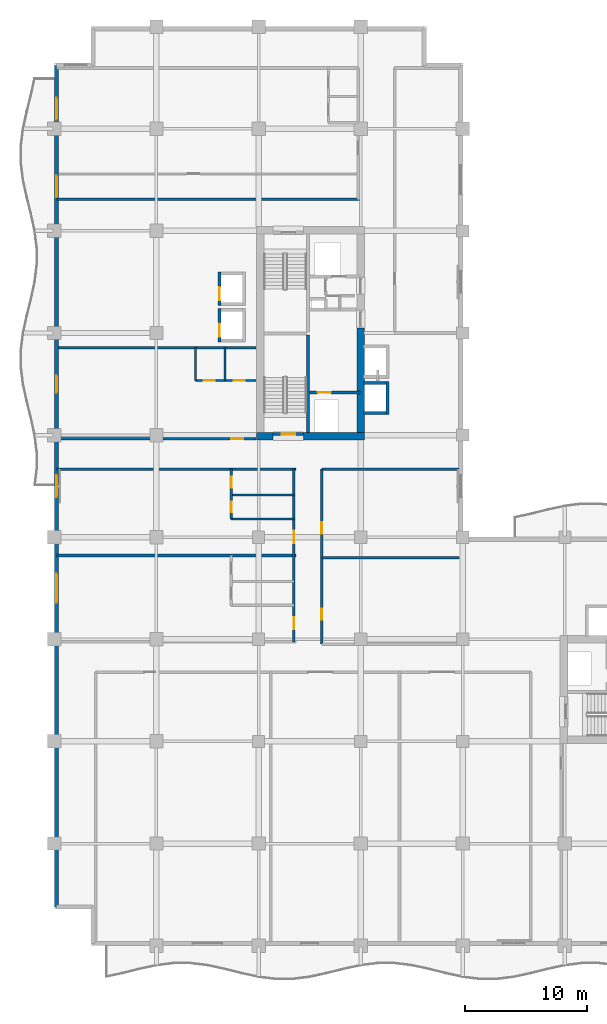
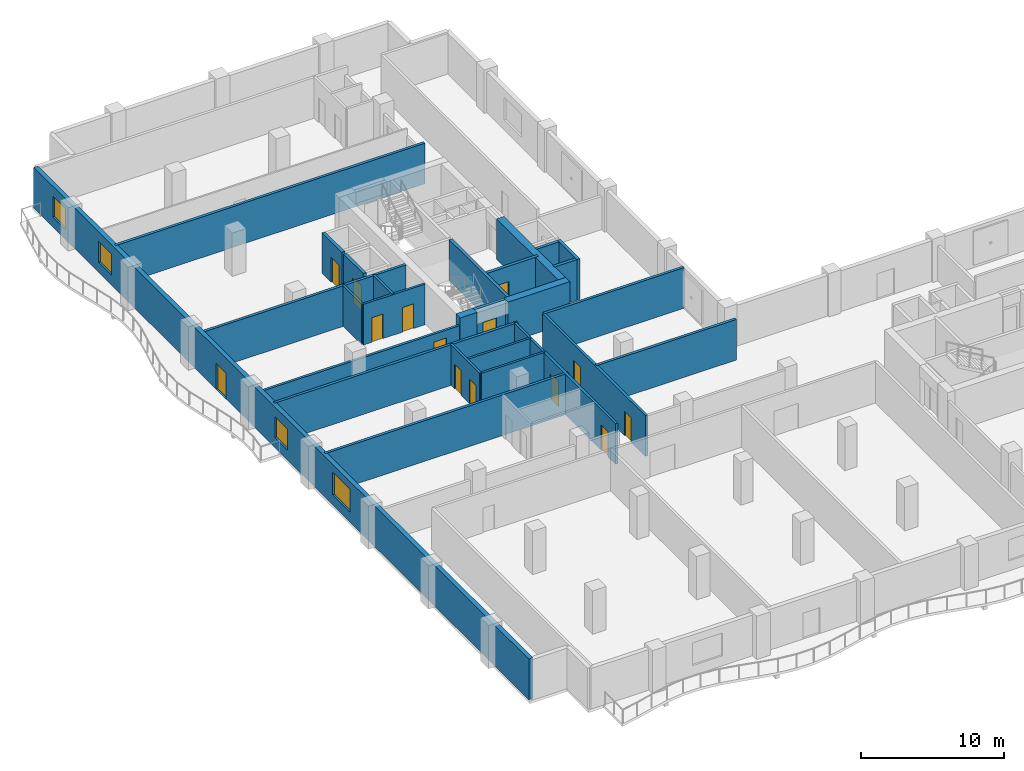
# One storey, part 6 of 15: 27 walls, 14 doors, 4 windows, 18 openings.
"""IFC4 building model written with IfcOpenShell, lengths in metres."""

from ifc_helpers import new_model, si_unit, direction, frame, frame_2d, origin, place, context, subcontext, project, spatial, rectangle, extrude, material, layer, layer_set, type_object, element, fill, save


model = new_model("IFC4")

# Units and contexts
model_context = context("Model", 3, precision=1e-05, world=origin(), true_north=direction((0.0, 1.0)))
body_context = subcontext(model_context, "Body", "Model", "MODEL_VIEW")
ifc_project = project(units=[si_unit("LENGTHUNIT", "METRE"), si_unit("AREAUNIT", "SQUARE_METRE"), si_unit("VOLUMEUNIT", "CUBIC_METRE"), si_unit("PLANEANGLEUNIT", "RADIAN"), si_unit("MASSUNIT", "GRAM", prefix="KILO")], contexts=[model_context])

# Site, building, storey
site_placement = place(None, origin())
site = spatial("IfcSite", under=ifc_project, at=site_placement, CompositionType="ELEMENT")
building_placement = place(site_placement, origin())
building = spatial("IfcBuilding", under=site, at=building_placement, Name="Koriwani Terraces Tower", CompositionType="ELEMENT")
storey_placement = place(building_placement, frame((0.0, 0.0, 216.10009765625)))
storey = spatial("IfcBuildingStorey", under=building, at=storey_placement, Name="L53", CompositionType="ELEMENT", Elevation=216.10009765625)

# Walls
ifc_material_1 = material(Name="Concrete C60/75", Category="concrete")
ifc_layer_1 = layer(ifc_material_1, 0.60009765625, Name="Concrete C60/75")
ifc_layer_set_1 = layer_set([ifc_layer_1], Name="Concrete C60/75")
wall_type_1 = type_object("IfcWallType", Name="WALL_CORE_RC_600", PredefinedType="SHEAR", material=ifc_layer_set_1)
wall_1_placement = place(storey_placement, frame((16.64990234375, 41.89990234375, 0.0), z_axis=(0.0, 0.0, 1.0), x_axis=(1.0, 0.0, 0.0)))
element("IfcWall", 1, at=wall_1_placement, inside=storey, type_object=wall_type_1, Name="L53 West Split Core Shear Wall S1", PredefinedType="SHEAR", context=body_context, shape_type="SweptSolid", body=[
    extrude(rectangle(XDim=1.35009765625, YDim=0.60009765625, at=frame_2d((0.675048828125, 0.0))), origin(), (0.0, 0.0, 1.0), 3.469970703125),
])
wall_2_placement = place(storey_placement, frame((20.5, 41.89990234375, 0.0), z_axis=(0.0, 0.0, 1.0), x_axis=(1.0, 0.0, 0.0)))
element("IfcWall", 2, at=wall_2_placement, inside=storey, type_object=wall_type_1, Name="L53 West Split Core Shear Wall S2", PredefinedType="SHEAR", context=body_context, shape_type="SweptSolid", body=[
    extrude(rectangle(XDim=5.0, YDim=0.60009765625, at=frame_2d((2.5, 0.0))), origin(), (0.0, 0.0, 1.0), 3.469970703125),
])
wall_3_placement = place(storey_placement, frame((25.199951171875, 42.199951171875, 0.0), z_axis=(0.0, 0.0, 1.0), x_axis=(0.0, 1.0, 0.0)))
element("IfcWall", 3, at=wall_3_placement, inside=storey, type_object=wall_type_1, Name="L53 West Split Core Shear Wall E1", PredefinedType="SHEAR", context=body_context, shape_type="SweptSolid", body=[
    extrude(rectangle(XDim=8.60009765625, YDim=0.60009765625, at=frame_2d((4.300048828125, 0.0))), origin(), (0.0, 0.0, 1.0), 3.469970703125),
])

# Wall, opening, door
ifc_material_2 = material(Name="Autoclaved Cellular Concrete Blockwork", Category="masonry")
ifc_layer_2 = layer(ifc_material_2, 0.199951171875, Name="Autoclaved Cellular Concrete Blockwork")
ifc_layer_set_2 = layer_set([ifc_layer_2], Name="Autoclaved Cellular Concrete Blockwork")
wall_type_2 = type_object("IfcWallType", Name="WALL_CORRIDOR_200", PredefinedType="PARTITIONING", material=ifc_layer_set_2)
wall_4_placement = place(storey_placement, frame((0.35009765625, 41.699951171875, 0.0), z_axis=(0.0, 0.0, 1.0), x_axis=(1.0, 0.0, 0.0)))
wall_4 = element("IfcWall", 4, at=wall_4_placement, inside=storey, type_object=wall_type_2, Name="L53 Interior Wall WREC-WS-L53", PredefinedType="PARTITIONING", context=body_context, shape_type="SweptSolid", body=[
    extrude(rectangle(XDim=16.25, YDim=0.199951171875, at=frame_2d((8.125, 0.0))), origin(), (0.0, 0.0, 1.0), 2.81982421875),
])
opening_1_placement = place(wall_4_placement, frame((14.199951171875, 0.0, 0.0)))
opening_1 = element("IfcOpeningElement", 5, at=opening_1_placement, cuts=wall_4, Name="Opening D-05", PredefinedType="OPENING", context=body_context, shape_type="SweptSolid", body=[
    extrude(rectangle(XDim=1.0, YDim=2.14990234375, at=frame_2d((0.5, 1.074951171875))), frame((0.0, 0.10986328125, 0.0), z_axis=(0.0, -1.0, 0.0), x_axis=(1.0, 0.0, 0.0)), (0.0, 0.0, 1.0), 0.219970703125),
])
ifc_material_3 = material(Name="Architectural Oak Fire Door", Category="wood")
door_type_1 = type_object("IfcDoorType", Name="DOOR_SUITE_ENTRY_1000X2150", OperationType="NOTDEFINED", PredefinedType="DOOR", material=ifc_material_3)
door_1_placement = place(opening_1_placement, origin())
door_1 = element("IfcDoor", 6, at=door_1_placement, inside=storey, type_object=door_type_1, Name="L53 Reclaimed West Suite Door", OperationType="SINGLE_SWING_LEFT", OverallHeight=2.14990234375, OverallWidth=1.0, PredefinedType="DOOR", context=body_context, shape_type="SweptSolid", body=[
    extrude(rectangle(XDim=1.0, YDim=2.14990234375, at=frame_2d((0.5, 1.074951171875))), frame((0.0, 0.02490234375, 0.0), z_axis=(0.0, -1.0, 0.0), x_axis=(1.0, 0.0, 0.0)), (0.0, 0.0, 1.0), 0.050048828125),
])
fill(opening_1, door_1)

# Wall, openings, doors
wall_5_placement = place(storey_placement, frame((22.0, 24.800048828125, 0.0), z_axis=(0.0, 0.0, 1.0), x_axis=(0.0, 1.0, 0.0)))
wall_5 = element("IfcWall", 7, at=wall_5_placement, inside=storey, type_object=wall_type_2, Name="L53 Interior Wall WIC2-W-L53", PredefinedType="PARTITIONING", context=body_context, shape_type="SweptSolid", body=[
    extrude(rectangle(XDim=14.39990234375, YDim=0.199951171875, at=frame_2d((7.199951171875, 0.0))), origin(), (0.0, 0.0, 1.0), 3.469970703125),
])
opening_2_placement = place(wall_5_placement, frame((2.0, 0.0, 0.0)))
opening_2 = element("IfcOpeningElement", 8, at=opening_2_placement, cuts=wall_5, Name="Opening D-06", PredefinedType="OPENING", context=body_context, shape_type="SweptSolid", body=[
    extrude(rectangle(XDim=0.919921875, YDim=2.10009765625, at=frame_2d((0.4599609375, 1.050048828125))), frame((0.0, 0.10986328125, 0.0), z_axis=(0.0, -1.0, 0.0), x_axis=(1.0, 0.0, 0.0)), (0.0, 0.0, 1.0), 0.219970703125),
])
opening_3_placement = place(wall_5_placement, frame((9.10009765625, 0.0, 0.0)))
opening_3 = element("IfcOpeningElement", 9, at=opening_3_placement, cuts=wall_5, Name="Opening D-06", PredefinedType="OPENING", context=body_context, shape_type="SweptSolid", body=[
    extrude(rectangle(XDim=0.919921875, YDim=2.10009765625, at=frame_2d((0.4599609375, 1.050048828125))), frame((0.0, 0.10986328125, 0.0), z_axis=(0.0, -1.0, 0.0), x_axis=(1.0, 0.0, 0.0)), (0.0, 0.0, 1.0), 0.219970703125),
])
door_type_2 = type_object("IfcDoorType", Name="DOOR_ROOM_INT_920X2100", OperationType="NOTDEFINED", PredefinedType="DOOR", material=ifc_material_3)
door_2_placement = place(opening_2_placement, origin())
door_2 = element("IfcDoor", 10, at=door_2_placement, inside=storey, type_object=door_type_2, Name="L53 Inner Court Salon Door", OperationType="SINGLE_SWING_LEFT", OverallHeight=2.10009765625, OverallWidth=0.919921875, PredefinedType="DOOR", context=body_context, shape_type="SweptSolid", body=[
    extrude(rectangle(XDim=0.919921875, YDim=2.10009765625, at=frame_2d((0.4599609375, 1.050048828125))), frame((0.0, 0.02490234375, 0.0), z_axis=(0.0, -1.0, 0.0), x_axis=(1.0, 0.0, 0.0)), (0.0, 0.0, 1.0), 0.050048828125),
])
fill(opening_2, door_2)
door_3_placement = place(opening_3_placement, origin())
door_3 = element("IfcDoor", 11, at=door_3_placement, inside=storey, type_object=door_type_2, Name="L53 Inner Court Media Room Door", OperationType="SINGLE_SWING_RIGHT", OverallHeight=2.10009765625, OverallWidth=0.919921875, PredefinedType="DOOR", context=body_context, shape_type="SweptSolid", body=[
    extrude(rectangle(XDim=0.919921875, YDim=2.10009765625, at=frame_2d((0.4599609375, 1.050048828125))), frame((0.0, 0.02490234375, 0.0), z_axis=(0.0, -1.0, 0.0), x_axis=(1.0, 0.0, 0.0)), (0.0, 0.0, 1.0), 0.050048828125),
])
fill(opening_3, door_3)

wall_6_placement = place(storey_placement, frame((19.699951171875, 25.0, 0.0), z_axis=(0.0, 0.0, 1.0), x_axis=(0.0, 1.0, 0.0)))
wall_6 = element("IfcWall", 12, at=wall_6_placement, inside=storey, type_object=wall_type_2, Name="L53 Interior Wall WRCOR-L53-NW-0", PredefinedType="PARTITIONING", context=body_context, shape_type="SweptSolid", body=[
    extrude(rectangle(XDim=14.199951171875, YDim=0.199951171875, at=frame_2d((7.10009765625, 0.0))), origin(), (0.0, 0.0, 1.0), 3.469970703125),
])
opening_4_placement = place(wall_6_placement, frame((1.02001953125, 0.0, 0.0)))
opening_4 = element("IfcOpeningElement", 13, at=opening_4_placement, cuts=wall_6, Name="Opening D-05", PredefinedType="OPENING", context=body_context, shape_type="SweptSolid", body=[
    extrude(rectangle(XDim=1.0, YDim=2.14990234375, at=frame_2d((0.5, 1.074951171875))), frame((0.0, 0.10986328125, 0.0), z_axis=(0.0, -1.0, 0.0), x_axis=(1.0, 0.0, 0.0)), (0.0, 0.0, 1.0), 0.219970703125),
])
opening_5_placement = place(wall_6_placement, frame((8.1201171875, 0.0, 0.0)))
opening_5 = element("IfcOpeningElement", 14, at=opening_5_placement, cuts=wall_6, Name="Opening D-05", PredefinedType="OPENING", context=body_context, shape_type="SweptSolid", body=[
    extrude(rectangle(XDim=1.0, YDim=2.14990234375, at=frame_2d((0.5, 1.074951171875))), frame((0.0, 0.10986328125, 0.0), z_axis=(0.0, -1.0, 0.0), x_axis=(1.0, 0.0, 0.0)), (0.0, 0.0, 1.0), 0.219970703125),
])
door_4_placement = place(opening_4_placement, origin())
door_4 = element("IfcDoor", 15, at=door_4_placement, inside=storey, type_object=door_type_1, Name="Apartment 53NW1 Entrance Door", OperationType="SINGLE_SWING_RIGHT", OverallHeight=2.14990234375, OverallWidth=1.0, PredefinedType="DOOR", context=body_context, shape_type="SweptSolid", body=[
    extrude(rectangle(XDim=1.0, YDim=2.14990234375, at=frame_2d((0.5, 1.074951171875))), frame((0.0, 0.02490234375, 0.0), z_axis=(0.0, -1.0, 0.0), x_axis=(1.0, 0.0, 0.0)), (0.0, 0.0, 1.0), 0.050048828125),
])
fill(opening_4, door_4)
door_5_placement = place(opening_5_placement, origin())
door_5 = element("IfcDoor", 16, at=door_5_placement, inside=storey, type_object=door_type_1, Name="Apartment 53NW2 Entrance Door", OperationType="SINGLE_SWING_LEFT", OverallHeight=2.14990234375, OverallWidth=1.0, PredefinedType="DOOR", context=body_context, shape_type="SweptSolid", body=[
    extrude(rectangle(XDim=1.0, YDim=2.14990234375, at=frame_2d((0.5, 1.074951171875))), frame((0.0, 0.02490234375, 0.0), z_axis=(0.0, -1.0, 0.0), x_axis=(1.0, 0.0, 0.0)), (0.0, 0.0, 1.0), 0.050048828125),
])
fill(opening_5, door_5)

# Walls
ifc_layer_3 = layer(ifc_material_2, 0.219970703125, Name="Autoclaved Cellular Concrete Blockwork")
ifc_layer_set_3 = layer_set([ifc_layer_3], Name="Autoclaved Cellular Concrete Blockwork")
wall_type_3 = type_object("IfcWallType", Name="WALL_DEMISING_220", PredefinedType="PARTITIONING", material=ifc_layer_set_3)
wall_7_placement = place(storey_placement, frame((0.35009765625, 49.199951171875, 0.0), z_axis=(0.0, 0.0, 1.0), x_axis=(1.0, 0.0, 0.0)))
element("IfcWall", 17, at=wall_7_placement, inside=storey, type_object=wall_type_3, Name="L53 Interior Wall WREC-WN-L53", PredefinedType="PARTITIONING", context=body_context, shape_type="SweptSolid", body=[
    extrude(rectangle(XDim=16.25, YDim=0.219970703125, at=frame_2d((8.125, 0.0))), origin(), (0.0, 0.0, 1.0), 3.469970703125),
])
for number, where, z_axis, x_axis, name in (
    (18, (22.0, 31.89990234375, 0.0), (0.0, 0.0, 1.0), (1.0, 0.0, 0.0), "L53 Interior Wall WIC2-M-L53"),
    (19, (22.0, 39.199951171875, 0.0), (0.0, 0.0, 1.0), (1.0, 0.0, 0.0), "L53 Interior Wall WIC2-N-L53"),
):
    element("IfcWall", number, at=place(storey_placement, frame(where, z_axis=z_axis, x_axis=x_axis)), inside=storey, type_object=wall_type_3, Name=name, PredefinedType="PARTITIONING", context=body_context, shape_type="SweptSolid", body=[
        extrude(rectangle(XDim=11.300048828125, YDim=0.219970703125, at=frame_2d((5.64990234375, 0.0))), origin(), (0.0, 0.0, 1.0), 3.469970703125),
    ])
for number, where, z_axis, x_axis, name in (
    (20, (0.199951171875, 32.10009765625, 0.0), (0.0, 0.0, 1.0), (1.0, 0.0, 0.0), "L53 Interior Wall WRDEM-L53-NW-1"),
    (21, (0.199951171875, 39.199951171875, 0.0), (0.0, 0.0, 1.0), (1.0, 0.0, 0.0), "L53 Interior Wall WRDEME-L53-NW"),
):
    element("IfcWall", number, at=place(storey_placement, frame(where, z_axis=z_axis, x_axis=x_axis)), inside=storey, type_object=wall_type_3, Name=name, PredefinedType="PARTITIONING", context=body_context, shape_type="SweptSolid", body=[
        extrude(rectangle(XDim=19.679931640625, YDim=0.219970703125, at=frame_2d((9.83984375, 0.0))), origin(), (0.0, 0.0, 1.0), 3.469970703125),
    ])
wall_8_placement = place(storey_placement, frame((0.199951171875, 61.39990234375, 0.0), z_axis=(0.0, 0.0, 1.0), x_axis=(1.0, 0.0, 0.0)))
element("IfcWall", 22, at=wall_8_placement, inside=storey, type_object=wall_type_3, Name="L53 Interior Wall WRDEM-L53-NE-0", PredefinedType="PARTITIONING", context=body_context, shape_type="SweptSolid", body=[
    extrude(rectangle(XDim=24.97998046875, YDim=0.219970703125, at=frame_2d((12.489990234375, 0.0))), origin(), (0.0, 0.0, 1.0), 3.469970703125),
])

# Wall, openings, door, windows
ifc_material_4 = material(Name="Concrete C50/60", Category="concrete")
ifc_layer_4 = layer(ifc_material_4, 0.35009765625, Name="Concrete C50/60")
ifc_layer_set_4 = layer_set([ifc_layer_4], Name="Concrete C50/60")
wall_type_4 = type_object("IfcWallType", Name="WALL_EXT_BRUTALIST_350", PredefinedType="STANDARD", material=ifc_layer_set_4)
wall_9_placement = place(storey_placement, frame((0.175048828125, 3.175048828125, 0.0), z_axis=(0.0, 0.0, 1.0), x_axis=(0.0, 1.0, 0.0)))
wall_9 = element("IfcWall", 23, at=wall_9_placement, inside=storey, type_object=wall_type_4, Name="L53 Fair-Faced Brutalist Exterior Wall (W)", PredefinedType="STANDARD", context=body_context, shape_type="SweptSolid", body=[
    extrude(rectangle(XDim=69.25, YDim=0.35009765625, at=frame_2d((34.625, 0.0))), origin(), (0.0, 0.0, 1.0), 3.469970703125),
])
opening_6_placement = place(wall_9_placement, frame((42.324951171875, 0.0, 0.0)))
opening_6 = element("IfcOpeningElement", 24, at=opening_6_placement, cuts=wall_9, Name="Opening D-09", PredefinedType="OPENING", context=body_context, shape_type="SweptSolid", body=[
    extrude(rectangle(XDim=1.39990234375, YDim=2.199951171875, at=frame_2d((0.699951171875, 1.10009765625))), frame((0.0, 0.18505859375, 0.0), z_axis=(0.0, -1.0, 0.0), x_axis=(1.0, 0.0, 0.0)), (0.0, 0.0, 1.0), 0.3701171875),
])
opening_7_placement = place(wall_9_placement, frame((25.02490234375, 0.0, 0.85009765625)))
opening_7 = element("IfcOpeningElement", 25, at=opening_7_placement, cuts=wall_9, Name="Opening W-03", PredefinedType="OPENING", context=body_context, shape_type="SweptSolid", body=[
    extrude(rectangle(XDim=2.39990234375, YDim=1.949951171875, at=frame_2d((1.199951171875, 0.97509765625))), frame((0.0, 0.18505859375, 0.0), z_axis=(0.0, -1.0, 0.0), x_axis=(1.0, 0.0, 0.0)), (0.0, 0.0, 1.0), 0.3701171875),
])
opening_8_placement = place(wall_9_placement, frame((33.72509765625, 0.0, 0.85009765625)))
opening_8 = element("IfcOpeningElement", 26, at=opening_8_placement, cuts=wall_9, Name="Opening W-04", PredefinedType="OPENING", context=body_context, shape_type="SweptSolid", body=[
    extrude(rectangle(XDim=1.800048828125, YDim=1.800048828125, at=frame_2d((0.89990234375, 0.89990234375))), frame((0.0, 0.18505859375, 0.0), z_axis=(0.0, -1.0, 0.0), x_axis=(1.0, 0.0, 0.0)), (0.0, 0.0, 1.0), 0.3701171875),
])
opening_9_placement = place(wall_9_placement, frame((58.375, 0.0, 0.85009765625)))
opening_9 = element("IfcOpeningElement", 27, at=opening_9_placement, cuts=wall_9, Name="Opening W-04", PredefinedType="OPENING", context=body_context, shape_type="SweptSolid", body=[
    extrude(rectangle(XDim=1.800048828125, YDim=1.800048828125, at=frame_2d((0.89990234375, 0.89990234375))), frame((0.0, 0.18505859375, 0.0), z_axis=(0.0, -1.0, 0.0), x_axis=(1.0, 0.0, 0.0)), (0.0, 0.0, 1.0), 0.3701171875),
])
opening_10_placement = place(wall_9_placement, frame((64.77490234375, 0.0, 0.85009765625)))
opening_10 = element("IfcOpeningElement", 28, at=opening_10_placement, cuts=wall_9, Name="Opening W-04", PredefinedType="OPENING", context=body_context, shape_type="SweptSolid", body=[
    extrude(rectangle(XDim=1.800048828125, YDim=1.800048828125, at=frame_2d((0.89990234375, 0.89990234375))), frame((0.0, 0.18505859375, 0.0), z_axis=(0.0, -1.0, 0.0), x_axis=(1.0, 0.0, 0.0)), (0.0, 0.0, 1.0), 0.3701171875),
])
ifc_material_5 = material(Name="Anodised Bronze Aluminium", Category="aluminium")
door_type_3 = type_object("IfcDoorType", Name="DOOR_BALCONY_GLAZED_1400X2200", OperationType="NOTDEFINED", PredefinedType="DOOR", material=ifc_material_5)
door_6_placement = place(opening_6_placement, origin())
door_6 = element("IfcDoor", 29, at=door_6_placement, inside=storey, type_object=door_type_3, Name="L53 West Balcony Glazed Door", OperationType="SINGLE_SWING_LEFT", OverallHeight=2.199951171875, OverallWidth=1.39990234375, PredefinedType="DOOR", context=body_context, shape_type="SweptSolid", body=[
    extrude(rectangle(XDim=1.39990234375, YDim=2.199951171875, at=frame_2d((0.699951171875, 1.10009765625))), frame((0.0, 0.02490234375, 0.0), z_axis=(0.0, -1.0, 0.0), x_axis=(1.0, 0.0, 0.0)), (0.0, 0.0, 1.0), 0.050048828125),
])
fill(opening_6, door_6)
ifc_material_6 = material(Name="Tempered Laminated Low-E Glass", Category="glass")
window_type_1 = type_object("IfcWindowType", Name="WIN_RES_BED_1800X1800", PartitioningType="DOUBLE_PANEL_VERTICAL", PredefinedType="WINDOW", material=ifc_material_6)
window_1_placement = place(opening_8_placement, origin())
window_1 = element("IfcWindow", 30, at=window_1_placement, inside=storey, type_object=window_type_1, Name="L53 Exterior Window (W-12)", OverallHeight=1.800048828125, OverallWidth=1.800048828125, PartitioningType="SINGLE_PANEL", PredefinedType="WINDOW", context=body_context, shape_type="SweptSolid", body=[
    extrude(rectangle(XDim=1.800048828125, YDim=1.800048828125, at=frame_2d((0.89990234375, 0.89990234375))), frame((0.0, 0.030029296875, 0.0), z_axis=(0.0, -1.0, 0.0), x_axis=(1.0, 0.0, 0.0)), (0.0, 0.0, 1.0), 0.06005859375),
])
fill(opening_8, window_1)
window_2_placement = place(opening_9_placement, origin())
window_2 = element("IfcWindow", 31, at=window_2_placement, inside=storey, type_object=window_type_1, Name="L53 Exterior Window (W-R43)", OverallHeight=1.800048828125, OverallWidth=1.800048828125, PartitioningType="SINGLE_PANEL", PredefinedType="WINDOW", context=body_context, shape_type="SweptSolid", body=[
    extrude(rectangle(XDim=1.800048828125, YDim=1.800048828125, at=frame_2d((0.89990234375, 0.89990234375))), frame((0.0, 0.030029296875, 0.0), z_axis=(0.0, -1.0, 0.0), x_axis=(1.0, 0.0, 0.0)), (0.0, 0.0, 1.0), 0.06005859375),
])
fill(opening_9, window_2)
window_3_placement = place(opening_10_placement, origin())
window_3 = element("IfcWindow", 32, at=window_3_placement, inside=storey, type_object=window_type_1, Name="L53 Exterior Window (W-R44)", OverallHeight=1.800048828125, OverallWidth=1.800048828125, PartitioningType="SINGLE_PANEL", PredefinedType="WINDOW", context=body_context, shape_type="SweptSolid", body=[
    extrude(rectangle(XDim=1.800048828125, YDim=1.800048828125, at=frame_2d((0.89990234375, 0.89990234375))), frame((0.0, 0.030029296875, 0.0), z_axis=(0.0, -1.0, 0.0), x_axis=(1.0, 0.0, 0.0)), (0.0, 0.0, 1.0), 0.06005859375),
])
fill(opening_10, window_3)
window_type_2 = type_object("IfcWindowType", Name="WIN_RES_LIVING_2400X1950", PartitioningType="DOUBLE_PANEL_VERTICAL", PredefinedType="WINDOW", material=ifc_material_6)
window_4_placement = place(opening_7_placement, origin())
window_4 = element("IfcWindow", 33, at=window_4_placement, inside=storey, type_object=window_type_2, Name="L53 Exterior Window (W-9)", OverallHeight=1.949951171875, OverallWidth=2.39990234375, PartitioningType="SINGLE_PANEL", PredefinedType="WINDOW", context=body_context, shape_type="SweptSolid", body=[
    extrude(rectangle(XDim=2.39990234375, YDim=1.949951171875, at=frame_2d((1.199951171875, 0.97509765625))), frame((0.0, 0.030029296875, 0.0), z_axis=(0.0, -1.0, 0.0), x_axis=(1.0, 0.0, 0.0)), (0.0, 0.0, 1.0), 0.06005859375),
])
fill(opening_7, window_4)

# Wall, openings, doors
ifc_material_7 = material(Name="Fire-Rated Acoustic Gypsum Partition", Category="masonry")
ifc_layer_5 = layer(ifc_material_7, 0.179931640625, Name="Fire-Rated Acoustic Gypsum Partition")
ifc_layer_set_5 = layer_set([ifc_layer_5], Name="Fire-Rated Acoustic Gypsum Partition")
wall_type_5 = type_object("IfcWallType", Name="WALL_PLUMBING_180", PredefinedType="PLUMBINGWALL", material=ifc_layer_set_5)
wall_10_placement = place(storey_placement, frame((11.60009765625, 46.5, 0.0), z_axis=(0.0, 0.0, 1.0), x_axis=(1.0, 0.0, 0.0)))
wall_10 = element("IfcWall", 34, at=wall_10_placement, inside=storey, type_object=wall_type_5, Name="L53 Interior Wall WREC-WBB-L53", PredefinedType="PLUMBINGWALL", context=body_context, shape_type="SweptSolid", body=[
    extrude(rectangle(XDim=5.0, YDim=0.179931640625, at=frame_2d((2.5, 0.0))), origin(), (0.0, 0.0, 1.0), 3.469970703125),
])
opening_11_placement = place(wall_10_placement, frame((0.699951171875, 0.0, 0.0)))
opening_11 = element("IfcOpeningElement", 35, at=opening_11_placement, cuts=wall_10, Name="Opening D-07", PredefinedType="OPENING", context=body_context, shape_type="SweptSolid", body=[
    extrude(rectangle(XDim=0.89990234375, YDim=2.10009765625, at=frame_2d((0.449951171875, 1.050048828125))), frame((0.0, 0.10009765625, 0.0), z_axis=(0.0, -1.0, 0.0), x_axis=(1.0, 0.0, 0.0)), (0.0, 0.0, 1.0), 0.199951171875),
])
opening_12_placement = place(wall_10_placement, frame((3.14990234375, 0.0, 0.0)))
opening_12 = element("IfcOpeningElement", 36, at=opening_12_placement, cuts=wall_10, Name="Opening D-06", PredefinedType="OPENING", context=body_context, shape_type="SweptSolid", body=[
    extrude(rectangle(XDim=0.919921875, YDim=2.10009765625, at=frame_2d((0.4599609375, 1.050048828125))), frame((0.0, 0.10009765625, 0.0), z_axis=(0.0, -1.0, 0.0), x_axis=(1.0, 0.0, 0.0)), (0.0, 0.0, 1.0), 0.199951171875),
])
door_type_4 = type_object("IfcDoorType", Name="DOOR_BATH_INT_900X2100", OperationType="NOTDEFINED", PredefinedType="DOOR", material=ifc_material_3)
door_7_placement = place(opening_11_placement, origin())
door_7 = element("IfcDoor", 37, at=door_7_placement, inside=storey, type_object=door_type_4, Name="Apartment 53RW Bathroom Door", OperationType="SINGLE_SWING_RIGHT", OverallHeight=2.10009765625, OverallWidth=0.89990234375, PredefinedType="DOOR", context=body_context, shape_type="SweptSolid", body=[
    extrude(rectangle(XDim=0.89990234375, YDim=2.10009765625, at=frame_2d((0.449951171875, 1.050048828125))), frame((0.0, 0.02490234375, 0.0), z_axis=(0.0, -1.0, 0.0), x_axis=(1.0, 0.0, 0.0)), (0.0, 0.0, 1.0), 0.050048828125),
])
fill(opening_11, door_7)
door_8_placement = place(opening_12_placement, origin())
door_8 = element("IfcDoor", 38, at=door_8_placement, inside=storey, type_object=door_type_2, Name="Apartment 53RW Kitchen Door", OperationType="SINGLE_SWING_LEFT", OverallHeight=2.10009765625, OverallWidth=0.919921875, PredefinedType="DOOR", context=body_context, shape_type="SweptSolid", body=[
    extrude(rectangle(XDim=0.919921875, YDim=2.10009765625, at=frame_2d((0.4599609375, 1.050048828125))), frame((0.0, 0.02490234375, 0.0), z_axis=(0.0, -1.0, 0.0), x_axis=(1.0, 0.0, 0.0)), (0.0, 0.0, 1.0), 0.050048828125),
])
fill(opening_12, door_8)

# Walls
for number, where, z_axis, x_axis, name in (
    (39, (11.60009765625, 46.5, 0.0), (0.0, 0.0, 1.0), (0.0, 1.0, 0.0), "L53 Interior Wall WREC-WB2-L53"),
    (40, (14.050048828125, 46.5, 0.0), (0.0, 0.0, 1.0), (0.0, 1.0, 0.0), "L53 Interior Wall WREC-WB3-L53"),
):
    element("IfcWall", number, at=place(storey_placement, frame(where, z_axis=z_axis, x_axis=x_axis)), inside=storey, type_object=wall_type_5, Name=name, PredefinedType="PLUMBINGWALL", context=body_context, shape_type="SweptSolid", body=[
        extrude(rectangle(XDim=2.699951171875, YDim=0.179931640625, at=frame_2d((1.35009765625, 0.0))), origin(), (0.0, 0.0, 1.0), 3.469970703125),
    ])

# Wall, openings, doors
wall_11_placement = place(storey_placement, frame((14.550048828125, 35.10009765625, 0.0), z_axis=(0.0, 0.0, 1.0), x_axis=(0.0, 1.0, 0.0)))
wall_11 = element("IfcWall", 41, at=wall_11_placement, inside=storey, type_object=wall_type_5, Name="L53 Interior Wall WRSVC-L53-NW-1", PredefinedType="PLUMBINGWALL", context=body_context, shape_type="SweptSolid", body=[
    extrude(rectangle(XDim=4.099853515625, YDim=0.179931640625, at=frame_2d((2.0498046875, 0.0))), origin(), (0.0, 0.0, 1.0), 3.469970703125),
])
opening_13_placement = place(wall_11_placement, frame((0.533935546875, 0.0, 0.0)))
opening_13 = element("IfcOpeningElement", 42, at=opening_13_placement, cuts=wall_11, Name="Opening D-07", PredefinedType="OPENING", context=body_context, shape_type="SweptSolid", body=[
    extrude(rectangle(XDim=0.89990234375, YDim=2.10009765625, at=frame_2d((0.449951171875, 1.050048828125))), frame((0.0, 0.10009765625, 0.0), z_axis=(0.0, -1.0, 0.0), x_axis=(1.0, 0.0, 0.0)), (0.0, 0.0, 1.0), 0.199951171875),
])
opening_14_placement = place(wall_11_placement, frame((2.573974609375, 0.0, 0.0)))
opening_14 = element("IfcOpeningElement", 43, at=opening_14_placement, cuts=wall_11, Name="Opening D-06", PredefinedType="OPENING", context=body_context, shape_type="SweptSolid", body=[
    extrude(rectangle(XDim=0.919921875, YDim=2.10009765625, at=frame_2d((0.4599609375, 1.050048828125))), frame((0.0, 0.10009765625, 0.0), z_axis=(0.0, -1.0, 0.0), x_axis=(1.0, 0.0, 0.0)), (0.0, 0.0, 1.0), 0.199951171875),
])
door_9_placement = place(opening_13_placement, origin())
door_9 = element("IfcDoor", 44, at=door_9_placement, inside=storey, type_object=door_type_4, Name="Apartment 53NW2 Bathroom Door", OperationType="SINGLE_SWING_RIGHT", OverallHeight=2.10009765625, OverallWidth=0.89990234375, PredefinedType="DOOR", context=body_context, shape_type="SweptSolid", body=[
    extrude(rectangle(XDim=0.89990234375, YDim=2.10009765625, at=frame_2d((0.449951171875, 1.050048828125))), frame((0.0, 0.02490234375, 0.0), z_axis=(0.0, -1.0, 0.0), x_axis=(1.0, 0.0, 0.0)), (0.0, 0.0, 1.0), 0.050048828125),
])
fill(opening_13, door_9)
door_10_placement = place(opening_14_placement, origin())
door_10 = element("IfcDoor", 45, at=door_10_placement, inside=storey, type_object=door_type_2, Name="Apartment 53NW2 Kitchen Door", OperationType="SINGLE_SWING_LEFT", OverallHeight=2.10009765625, OverallWidth=0.919921875, PredefinedType="DOOR", context=body_context, shape_type="SweptSolid", body=[
    extrude(rectangle(XDim=0.919921875, YDim=2.10009765625, at=frame_2d((0.4599609375, 1.050048828125))), frame((0.0, 0.02490234375, 0.0), z_axis=(0.0, -1.0, 0.0), x_axis=(1.0, 0.0, 0.0)), (0.0, 0.0, 1.0), 0.050048828125),
])
fill(opening_14, door_10)

# Walls
for number, where, z_axis, x_axis, name in (
    (46, (14.550048828125, 35.10009765625, 0.0), (0.0, 0.0, 1.0), (1.0, 0.0, 0.0), "L53 Interior Wall WRSVCS-L53-NW-1"),
    (47, (14.550048828125, 37.068115234375, 0.0), (0.0, 0.0, 1.0), (1.0, 0.0, 0.0), "L53 Interior Wall WRSVCM-L53-NW-1"),
):
    element("IfcWall", number, at=place(storey_placement, frame(where, z_axis=z_axis, x_axis=x_axis)), inside=storey, type_object=wall_type_5, Name=name, PredefinedType="PLUMBINGWALL", context=body_context, shape_type="SweptSolid", body=[
        extrude(rectangle(XDim=5.14990234375, YDim=0.179931640625, at=frame_2d((2.574951171875, 0.0))), origin(), (0.0, 0.0, 1.0), 3.469970703125),
    ])
ifc_material_8 = material(Name="Concrete C40/50", Category="concrete")
ifc_layer_6 = layer(ifc_material_8, 0.25, Name="Concrete C40/50")
ifc_layer_set_6 = layer_set([ifc_layer_6], Name="Concrete C40/50")
wall_type_6 = type_object("IfcWallType", Name="WALL_SHAFT_RATED_250", PredefinedType="SOLIDWALL", material=ifc_layer_set_6)
wall_12_placement = place(storey_placement, frame((20.875, 42.199951171875, 0.0), z_axis=(0.0, 0.0, 1.0), x_axis=(0.0, 1.0, 0.0)))
element("IfcWall", 48, at=wall_12_placement, inside=storey, type_object=wall_type_6, Name="L53 West Split Core Web Wall MID1", PredefinedType="SOLIDWALL", context=body_context, shape_type="SweptSolid", body=[
    extrude(rectangle(XDim=8.050048828125, YDim=0.25, at=frame_2d((4.02490234375, 0.0))), origin(), (0.0, 0.0, 1.0), 3.469970703125),
])

# Wall, opening, door
wall_13_placement = place(storey_placement, frame((18.0, 42.074951171875, 0.0), z_axis=(0.0, 0.0, 1.0), x_axis=(1.0, 0.0, 0.0)))
wall_13 = element("IfcWall", 49, at=wall_13_placement, inside=storey, type_object=wall_type_6, Name="L53 Interior Wall WIN-CW-L53-STS", PredefinedType="SOLIDWALL", context=body_context, shape_type="SweptSolid", body=[
    extrude(rectangle(XDim=2.5, YDim=0.25, at=frame_2d((1.25, 0.0))), origin(), (0.0, 0.0, 1.0), 3.469970703125),
])
opening_15_placement = place(wall_13_placement, frame((0.699951171875, 0.0, 0.0)))
opening_15 = element("IfcOpeningElement", 50, at=opening_15_placement, cuts=wall_13, Name="Opening D-03", PredefinedType="OPENING", context=body_context, shape_type="SweptSolid", body=[
    extrude(rectangle(XDim=1.10009765625, YDim=2.14990234375, at=frame_2d((0.550048828125, 1.074951171875))), frame((0.0, 0.135009765625, 0.0), z_axis=(0.0, -1.0, 0.0), x_axis=(1.0, 0.0, 0.0)), (0.0, 0.0, 1.0), 0.27001953125),
])
ifc_material_9 = material(Name="Steel ASTM A572 Grade 50", Category="steel")
door_type_5 = type_object("IfcDoorType", Name="DOOR_STAIR_FIRE_1100X2150", OperationType="NOTDEFINED", PredefinedType="DOOR", material=ifc_material_9)
door_11_placement = place(opening_15_placement, origin())
door_11 = element("IfcDoor", 51, at=door_11_placement, inside=storey, type_object=door_type_5, Name="L53 Exit Stair ST-W1 Door", OperationType="SINGLE_SWING_LEFT", OverallHeight=2.14990234375, OverallWidth=1.10009765625, PredefinedType="DOOR", context=body_context, shape_type="SweptSolid", body=[
    extrude(rectangle(XDim=1.10009765625, YDim=2.14990234375, at=frame_2d((0.550048828125, 1.074951171875))), frame((0.0, 0.02490234375, 0.0), z_axis=(0.0, -1.0, 0.0), x_axis=(1.0, 0.0, 0.0)), (0.0, 0.0, 1.0), 0.050048828125),
])
fill(opening_15, door_11)

wall_14_placement = place(storey_placement, frame((21.0, 45.5, 0.0), z_axis=(0.0, 0.0, 1.0), x_axis=(1.0, 0.0, 0.0)))
wall_14 = element("IfcWall", 52, at=wall_14_placement, inside=storey, type_object=wall_type_6, Name="L53 Interior Wall WIN-CW-L53-FE", PredefinedType="SOLIDWALL", context=body_context, shape_type="SweptSolid", body=[
    extrude(rectangle(XDim=4.14990234375, YDim=0.25, at=frame_2d((2.074951171875, 0.0))), origin(), (0.0, 0.0, 1.0), 3.469970703125),
])
opening_16_placement = place(wall_14_placement, frame((0.64990234375, 0.0, 0.0)))
opening_16 = element("IfcOpeningElement", 53, at=opening_16_placement, cuts=wall_14, Name="Opening LD-01", PredefinedType="OPENING", context=body_context, shape_type="SweptSolid", body=[
    extrude(rectangle(XDim=1.10009765625, YDim=2.14990234375, at=frame_2d((0.550048828125, 1.074951171875))), frame((0.0, 0.135009765625, 0.0), z_axis=(0.0, -1.0, 0.0), x_axis=(1.0, 0.0, 0.0)), (0.0, 0.0, 1.0), 0.27001953125),
])
door_type_6 = type_object("IfcDoorType", Name="DOOR_LIFT_LANDING_1100X2200", OperationType="NOTDEFINED", PredefinedType="DOOR", material=ifc_material_9)
door_12_placement = place(opening_16_placement, origin())
door_12 = element("IfcDoor", 54, at=door_12_placement, inside=storey, type_object=door_type_6, Name="L53 Firefighting Lift FE-01 Landing Door", OperationType="SLIDING_TO_LEFT", OverallHeight=2.14990234375, OverallWidth=1.10009765625, PredefinedType="DOOR", context=body_context, shape_type="SweptSolid", body=[
    extrude(rectangle(XDim=1.10009765625, YDim=2.14990234375, at=frame_2d((0.550048828125, 1.074951171875))), frame((0.0, 0.02490234375, 0.0), z_axis=(0.0, -1.0, 0.0), x_axis=(1.0, 0.0, 0.0)), (0.0, 0.0, 1.0), 0.050048828125),
])
fill(opening_16, door_12)

wall_15_placement = place(storey_placement, frame((13.60009765625, 49.675048828125, 0.0), z_axis=(0.0, 0.0, 1.0), x_axis=(0.0, 1.0, 0.0)))
wall_15 = element("IfcWall", 55, at=wall_15_placement, inside=storey, type_object=wall_type_6, Name="L53 Interior Wall WIN-LF-PE-M1-L53-F", PredefinedType="SOLIDWALL", context=body_context, shape_type="SweptSolid", body=[
    extrude(rectangle(XDim=2.75, YDim=0.25, at=frame_2d((1.375, 0.0))), origin(), (0.0, 0.0, 1.0), 3.469970703125),
])
opening_17_placement = place(wall_15_placement, frame((0.39990234375, 0.0, 0.0)))
opening_17 = element("IfcOpeningElement", 56, at=opening_17_placement, cuts=wall_15, Name="Opening LD-01", PredefinedType="OPENING", context=body_context, shape_type="SweptSolid", body=[
    extrude(rectangle(XDim=1.10009765625, YDim=2.14990234375, at=frame_2d((0.550048828125, 1.074951171875))), frame((0.0, 0.135009765625, 0.0), z_axis=(0.0, -1.0, 0.0), x_axis=(1.0, 0.0, 0.0)), (0.0, 0.0, 1.0), 0.27001953125),
])
door_13_placement = place(opening_17_placement, origin())
door_13 = element("IfcDoor", 57, at=door_13_placement, inside=storey, type_object=door_type_6, Name="L53 Passenger Lift PE-M1 Landing Door", OperationType="SLIDING_TO_LEFT", OverallHeight=2.14990234375, OverallWidth=1.10009765625, PredefinedType="DOOR", context=body_context, shape_type="SweptSolid", body=[
    extrude(rectangle(XDim=1.10009765625, YDim=2.14990234375, at=frame_2d((0.550048828125, 1.074951171875))), frame((0.0, 0.02490234375, 0.0), z_axis=(0.0, -1.0, 0.0), x_axis=(1.0, 0.0, 0.0)), (0.0, 0.0, 1.0), 0.050048828125),
])
fill(opening_17, door_13)

wall_16_placement = place(storey_placement, frame((13.60009765625, 52.675048828125, 0.0), z_axis=(0.0, 0.0, 1.0), x_axis=(0.0, 1.0, 0.0)))
wall_16 = element("IfcWall", 58, at=wall_16_placement, inside=storey, type_object=wall_type_6, Name="L53 Interior Wall WIN-LF-PE-M2-L53-F", PredefinedType="SOLIDWALL", context=body_context, shape_type="SweptSolid", body=[
    extrude(rectangle(XDim=2.75, YDim=0.25, at=frame_2d((1.375, 0.0))), origin(), (0.0, 0.0, 1.0), 3.469970703125),
])
opening_18_placement = place(wall_16_placement, frame((0.39990234375, 0.0, 0.0)))
opening_18 = element("IfcOpeningElement", 59, at=opening_18_placement, cuts=wall_16, Name="Opening LD-01", PredefinedType="OPENING", context=body_context, shape_type="SweptSolid", body=[
    extrude(rectangle(XDim=1.10009765625, YDim=2.14990234375, at=frame_2d((0.550048828125, 1.074951171875))), frame((0.0, 0.135009765625, 0.0), z_axis=(0.0, -1.0, 0.0), x_axis=(1.0, 0.0, 0.0)), (0.0, 0.0, 1.0), 0.27001953125),
])
door_14_placement = place(opening_18_placement, origin())
door_14 = element("IfcDoor", 60, at=door_14_placement, inside=storey, type_object=door_type_6, Name="L53 Passenger Lift PE-M2 Landing Door", OperationType="SLIDING_TO_LEFT", OverallHeight=2.14990234375, OverallWidth=1.10009765625, PredefinedType="DOOR", context=body_context, shape_type="SweptSolid", body=[
    extrude(rectangle(XDim=1.10009765625, YDim=2.14990234375, at=frame_2d((0.550048828125, 1.074951171875))), frame((0.0, 0.02490234375, 0.0), z_axis=(0.0, -1.0, 0.0), x_axis=(1.0, 0.0, 0.0)), (0.0, 0.0, 1.0), 0.050048828125),
])
fill(opening_18, door_14)

# Walls
wall_17_placement = place(storey_placement, frame((27.39990234375, 43.675048828125, 0.0), z_axis=(0.0, 0.0, 1.0), x_axis=(0.0, 1.0, 0.0)))
element("IfcWall", 61, at=wall_17_placement, inside=storey, type_object=wall_type_6, Name="L53 Interior Wall WIN-LF-PE-H1-L53-F", PredefinedType="SOLIDWALL", context=body_context, shape_type="SweptSolid", body=[
    extrude(rectangle(XDim=2.75, YDim=0.25, at=frame_2d((1.375, 0.0))), origin(), (0.0, 0.0, 1.0), 3.469970703125),
])
for number, where, z_axis, x_axis, name in (
    (62, (25.449951171875, 43.800048828125, 0.0), (0.0, 0.0, 1.0), (1.0, 0.0, 0.0), "L53 Interior Wall WIN-LF-PE-H1-L53-S"),
    (63, (25.449951171875, 46.300048828125, 0.0), (0.0, 0.0, 1.0), (1.0, 0.0, 0.0), "L53 Interior Wall WIN-LF-PE-H1-L53-N"),
):
    element("IfcWall", number, at=place(storey_placement, frame(where, z_axis=z_axis, x_axis=x_axis)), inside=storey, type_object=wall_type_6, Name=name, PredefinedType="SOLIDWALL", context=body_context, shape_type="SweptSolid", body=[
        extrude(rectangle(XDim=1.824951171875, YDim=0.25, at=frame_2d((0.91259765625, 0.0))), origin(), (0.0, 0.0, 1.0), 3.469970703125),
    ])

save(model, "model.ifc")
